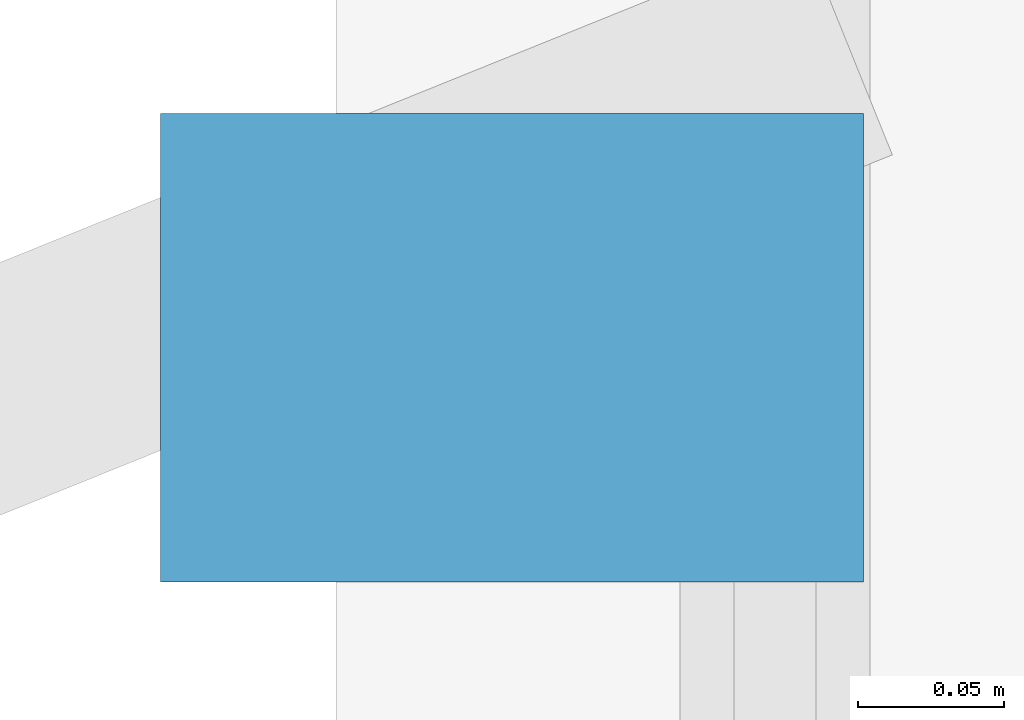
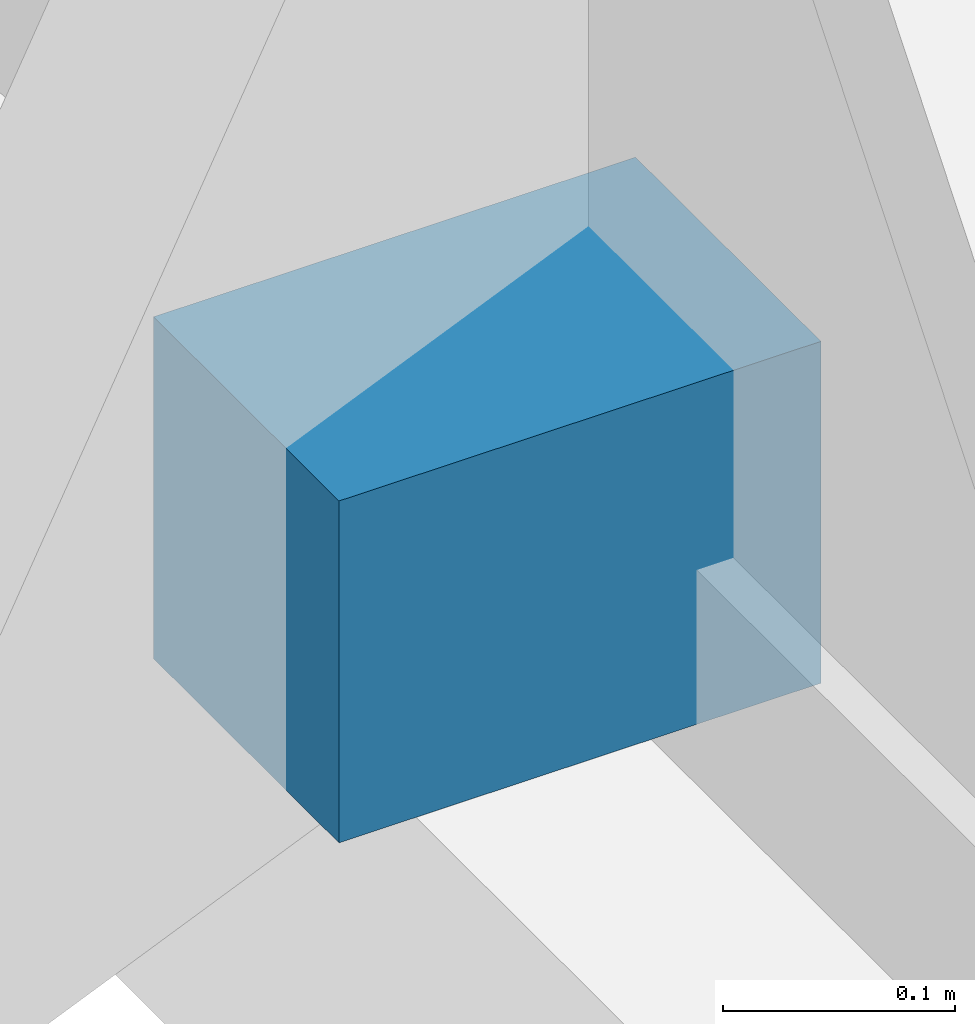
# One storey, part 27 of 29: 1 discrete accessory.
"""IFC4 building model written with IfcOpenShell, lengths in metres."""

import ifcopenshell
import ifcopenshell.guid

model = None  # the IFC model being written
_history = None  # IfcOwnerHistory: only IFC2X3 demands one
_inside = {}  # id of a spatial element -> (the spatial element, [elements in it])
_under = {}  # id of a project, library or spatial element -> (it, [spatial elements below it])
_declared = {}  # id of a project -> (the project, [libraries it declares])
_typed = {}  # id of a type object -> (the type object, [elements of that type])
_made_of = {}  # id of a material, layer set ... -> (it, [elements and type objects made of it])


def new_model(schema):
    """Start an empty IFC model of exactly this schema.

    Asked for "IFC4X3", IfcOpenShell would pick the latest addendum, in which some entities
    have other attributes; the version numbers below select the first issue.
    IFC2X3 requires an IfcOwnerHistory on every rooted entity: one is made here for all.
    """
    global model, _history
    if schema == "IFC4X3":
        model = ifcopenshell.file(schema_version=(4, 3, 0, 0))
    else:
        model = ifcopenshell.file(schema=schema)
    _inside.clear()
    _under.clear()
    _declared.clear()
    _typed.clear()
    _made_of.clear()
    _history = None
    if model.schema == "IFC2X3":
        org = make("IfcOrganization", Name="unknown")
        user = make(
            "IfcPersonAndOrganization",
            ThePerson=make("IfcPerson", FamilyName="unknown"),
            TheOrganization=org,
        )
        app = make(
            "IfcApplication",
            ApplicationDeveloper=org,
            Version="unknown",
            ApplicationFullName="unknown",
            ApplicationIdentifier="unknown",
        )
        _history = make(
            "IfcOwnerHistory",
            OwningUser=user,
            OwningApplication=app,
            ChangeAction="ADDED",
            CreationDate=0,
        )
    return model


def make(cls, **values):
    """One entity of the class cls with the attributes given. An attribute that is None is left unset."""
    return model.create_entity(
        cls, **{name: value for name, value in values.items() if value is not None}
    )


def rooted(cls, **values):
    """An entity with a GlobalId (a new one), such as an element, a storey or a relation."""
    return make(cls, GlobalId=ifcopenshell.guid.new(), OwnerHistory=_history, **values)


def si_unit(unit_type, name, prefix=None):
    """IfcSIUnit, for example si_unit("LENGTHUNIT", "METRE", prefix="MILLI")."""
    return make("IfcSIUnit", UnitType=unit_type, Prefix=prefix, Name=name)


def assignment(units):
    """IfcUnitAssignment: the units of a project."""
    return None if units is None else make("IfcUnitAssignment", Units=units)


def point(xyz):
    """IfcCartesianPoint."""
    return None if xyz is None else make("IfcCartesianPoint", Coordinates=xyz)


def direction(xyz):
    """IfcDirection."""
    return None if xyz is None else make("IfcDirection", DirectionRatios=xyz)


def frame(location, z_axis=None, x_axis=None):
    """IfcAxis2Placement3D, a coordinate frame: its origin and axes. An axis left out is left unset."""
    return make(
        "IfcAxis2Placement3D",
        Location=point(location),
        Axis=direction(z_axis),
        RefDirection=direction(x_axis),
    )


def frame_2d(location, x_axis=None):
    """IfcAxis2Placement2D, a coordinate frame in the plane: its origin and x axis."""
    return make(
        "IfcAxis2Placement2D", Location=point(location), RefDirection=direction(x_axis)
    )


def origin():
    """The frame at (0, 0, 0) with its axes left unset."""
    return frame((0.0, 0.0, 0.0))


def origin_2d():
    """The frame at (0, 0) in the plane with its x axis left unset."""
    return frame_2d((0.0, 0.0))


def place(relative_to, where):
    """IfcLocalPlacement: puts the frame where relative to a parent placement (None: the world)."""
    return make(
        "IfcLocalPlacement", PlacementRelTo=relative_to, RelativePlacement=where
    )


def context(
    kind, dimensions, precision=None, world=None, true_north=None, identifier=None
):
    """IfcGeometricRepresentationContext, for example the 3D "Model" context."""
    return make(
        "IfcGeometricRepresentationContext",
        ContextIdentifier=identifier,
        ContextType=kind,
        CoordinateSpaceDimension=dimensions,
        Precision=precision,
        WorldCoordinateSystem=world,
        TrueNorth=true_north,
    )


def subcontext(parent, identifier, kind, view, scale=None):
    """IfcGeometricRepresentationSubContext, for example "Body" below "Model"."""
    return make(
        "IfcGeometricRepresentationSubContext",
        ContextIdentifier=identifier,
        ContextType=kind,
        ParentContext=parent,
        TargetScale=scale,
        TargetView=view,
    )


def project(units=None, contexts=None):
    """IfcProject with its units and contexts."""
    return rooted(
        "IfcProject",
        Name="project",
        RepresentationContexts=contexts,
        UnitsInContext=assignment(units),
    )


def spatial(cls, under=None, at=None, **own):
    """A site, building, storey or space (cls), placed at a placement, below another one or the project."""
    s = rooted(cls, ObjectPlacement=at, **own)
    if under is not None:
        _under.setdefault(under.id(), (under, []))[1].append(s)
    return s


def profile(cls, at=None, kind="AREA", **sizes):
    """A parametric profile (cls). Its sizes go by their IFC names, for example OverallWidth=200.0."""
    return make(cls, ProfileType=kind, Position=at, **sizes)


def rectangle(**sizes):
    """IfcRectangleProfileDef."""
    return profile("IfcRectangleProfileDef", **sizes)


def extrude(swept, where, along, depth):
    """IfcExtrudedAreaSolid: the profile swept, set in the frame where, extruded along a direction by depth."""
    return make(
        "IfcExtrudedAreaSolid",
        SweptArea=swept,
        Position=where,
        ExtrudedDirection=direction(along),
        Depth=depth,
    )


def shape(context_of_items, identifier, shape_type, items):
    """IfcShapeRepresentation: the items that make up one representation, for example the "Body"."""
    return make(
        "IfcShapeRepresentation",
        ContextOfItems=context_of_items,
        RepresentationIdentifier=identifier,
        RepresentationType=shape_type,
        Items=items,
    )


def material(Name=None, Category=None):
    """IfcMaterial."""
    return make("IfcMaterial", Name=Name, Category=Category)


def made_of(thing, what):
    """Note that an element or type object is made of a material, layer set ...; save() writes the relation."""
    if what is not None:
        _made_of.setdefault(what.id(), (what, []))[1].append(thing)
    return thing


def type_object(cls, material=None, **own):
    """A type object (cls), such as IfcWallType, which elements share."""
    return made_of(rooted(cls, **own), material)


def element(
    cls,
    number,
    at=None,
    inside=None,
    cuts=None,
    type_object=None,
    material=None,
    context=None,
    identifier="Body",
    shape_type=None,
    held_by="IfcProductDefinitionShape",
    body=None,
    shapes=None,
    **own,
):
    """One element of the class cls, such as IfcWall. Its Tag is "e" and its number.

    at: its placement. inside: the storey or other place that contains it. cuts: it is an
    opening in that element (IfcRelVoidsElement). A single representation is given by context,
    identifier, shape_type and body (its items); several are given by shapes. held_by: the class
    of the entity that holds the representations. save() writes the other relations.
    """
    e = rooted(cls, Tag="e%d" % number, ObjectPlacement=at, **own)
    if body is not None:
        shapes = [shape(context, identifier, shape_type, body)]
    if shapes is not None:
        e.Representation = make(held_by, Representations=shapes)
    if inside is not None:
        _inside.setdefault(inside.id(), (inside, []))[1].append(e)
    if cuts is not None:
        rooted(
            "IfcRelVoidsElement", RelatingBuildingElement=cuts, RelatedOpeningElement=e
        )
    if type_object is not None:
        _typed.setdefault(type_object.id(), (type_object, []))[1].append(e)
    return made_of(e, material)


def aggregate(whole, parts):
    """IfcRelAggregates: a whole, such as a stair, and the parts it consists of."""
    return rooted("IfcRelAggregates", RelatingObject=whole, RelatedObjects=parts)


def save(model, path):
    """Write the relations noted so far, then the file.

    IfcRelAggregates (storeys below a building ...), IfcRelContainedInSpatialStructure (elements
    in a storey), IfcRelDefinesByType, IfcRelAssociatesMaterial and IfcRelDeclares: one each for
    every whole, place, type object, material and project.
    """
    for whole, parts in _under.values():
        aggregate(whole, parts)
    for where, things in _inside.values():
        rooted(
            "IfcRelContainedInSpatialStructure",
            RelatedElements=things,
            RelatingStructure=where,
        )
    for kind, things in _typed.values():
        rooted("IfcRelDefinesByType", RelatedObjects=things, RelatingType=kind)
    for what, things in _made_of.values():
        rooted("IfcRelAssociatesMaterial", RelatedObjects=things, RelatingMaterial=what)
    for by, libraries in _declared.values():
        rooted("IfcRelDeclares", RelatingContext=by, RelatedDefinitions=libraries)
    model.write(path)


model = new_model("IFC4")

# Units and contexts
model_context = context("Model", 3, precision=1e-05, world=origin(), true_north=direction((0.0, 1.0)))
body_context = subcontext(model_context, "Body", "Model", "MODEL_VIEW")
ifc_project = project(units=[si_unit("LENGTHUNIT", "METRE"), si_unit("AREAUNIT", "SQUARE_METRE"), si_unit("VOLUMEUNIT", "CUBIC_METRE"), si_unit("PLANEANGLEUNIT", "RADIAN"), si_unit("MASSUNIT", "GRAM", prefix="KILO")], contexts=[model_context])

# Site, building, storey
site_placement = place(None, origin())
site = spatial("IfcSite", under=ifc_project, at=site_placement, CompositionType="ELEMENT")
building_placement = place(site_placement, origin())
building = spatial("IfcBuilding", under=site, at=building_placement, Name="Calvorn Quay Hotel", CompositionType="ELEMENT")
storey_placement = place(building_placement, frame((0.0, 0.0, 58.39990234375)))
storey = spatial("IfcBuildingStorey", under=building, at=storey_placement, Name="L13", CompositionType="ELEMENT", Elevation=58.39990234375)

# Discrete accessory
ifc_material = material(Name="Steel Q355B", Category="steel")
discrete_accessory_type = type_object("IfcDiscreteAccessoryType", Name="ACC-FIN-BRACKET", PredefinedType="BRACKET", material=ifc_material)
discrete_accessory_placement = place(storey_placement, frame((0.06005859375, 37.25, 0.0302734375), z_axis=(0.0, 0.0, 1.0), x_axis=(1.0, 0.0, 0.0)))
element("IfcDiscreteAccessory", 1, at=discrete_accessory_placement, inside=storey, type_object=discrete_accessory_type, Name="Fin Anchor Bracket L13-W03", PredefinedType="BRACKET", context=body_context, shape_type="SweptSolid", body=[
    extrude(rectangle(XDim=0.239990234375, YDim=0.159912109375, at=origin_2d()), origin(), (0.0, 0.0, 1.0), 0.179931640625),
])

save(model, "model.ifc")
